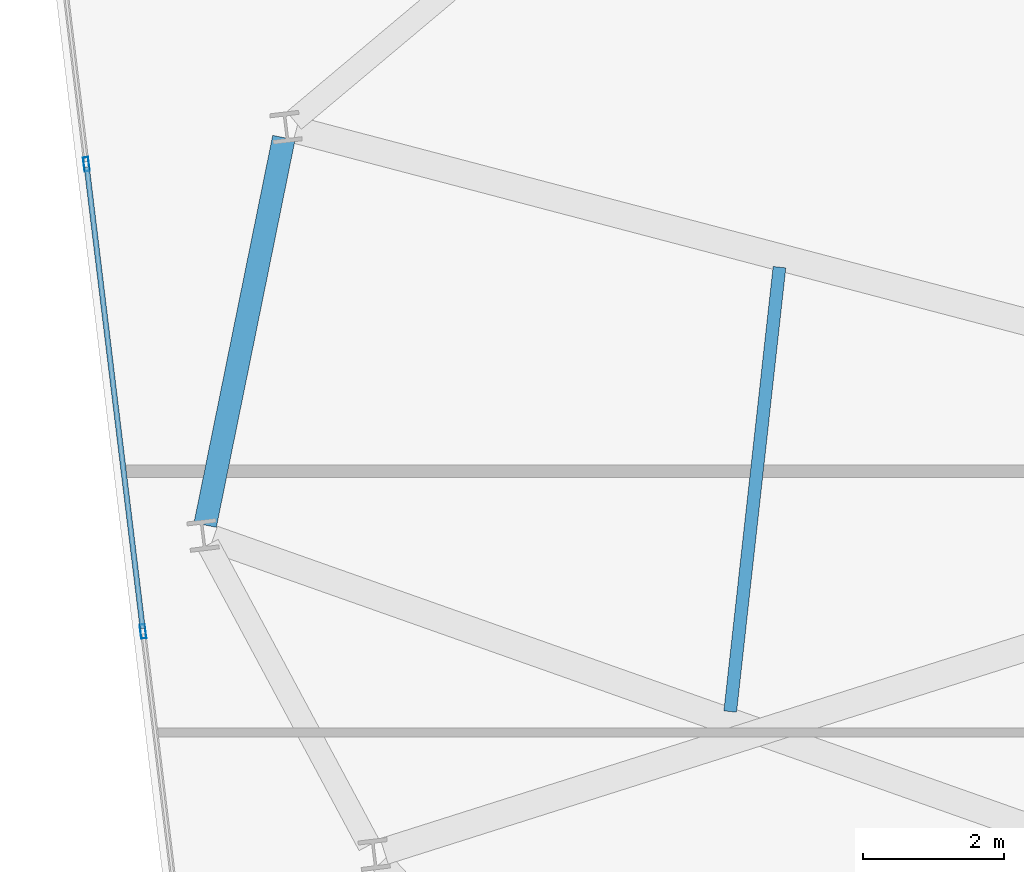
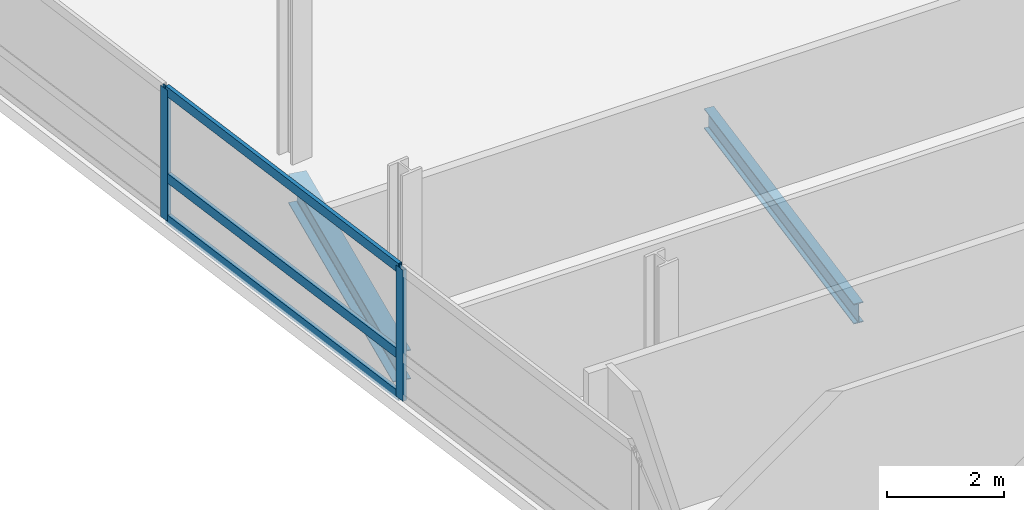
# One storey, part 6 of 22: 5 members, 2 beams, 1 element without a shape of its own.
"""IFC4 building model written with IfcOpenShell, lengths in metres."""

from ifc_helpers import new_model, si_unit, direction, frame, origin, origin_2d, place, context, subcontext, project, spatial, hollow_rectangle, i_section, extrude, material, layer, layer_set, material_profile, profile_set, type_object, element, aggregate, save


model = new_model("IFC4")

# Units and contexts
model_context = context("Model", 3, precision=1e-05, world=origin(), true_north=direction((0.0, 1.0)))
body_context = subcontext(model_context, "Body", "Model", "MODEL_VIEW")
ifc_project = project(units=[si_unit("LENGTHUNIT", "METRE"), si_unit("AREAUNIT", "SQUARE_METRE"), si_unit("VOLUMEUNIT", "CUBIC_METRE"), si_unit("PLANEANGLEUNIT", "RADIAN"), si_unit("MASSUNIT", "GRAM", prefix="KILO")], contexts=[model_context])

# Site, building, storey
site_placement = place(None, origin())
site = spatial("IfcSite", under=ifc_project, at=site_placement, CompositionType="ELEMENT")
building_placement = place(site_placement, origin())
building = spatial("IfcBuilding", under=site, at=building_placement, Name="Varnelok Gate Tower", CompositionType="ELEMENT")
storey_placement = place(building_placement, frame((0.0, 0.0, 178.300048828125)))
storey = spatial("IfcBuildingStorey", under=building, at=storey_placement, Name="L45", CompositionType="ELEMENT", Elevation=178.300048828125)

# Beams
ifc_material_1 = material(Name="Structural Steel ASTM A992 Grade 50", Category="steel")
ifc_material_profile_1 = material_profile(ifc_material_1, i_section(OverallWidth=0.180908203125, OverallDepth=0.4169921875, WebThickness=0.010986328125, FlangeThickness=0.018310546875, FilletRadius=0.013916015625, at=origin_2d()), Name="W16X57")
ifc_profile_set_1 = profile_set([ifc_material_profile_1], Name="Structural Steel ASTM A992 Grade 50")
beam_type_1 = type_object("IfcBeamType", Name="BM-JST-W16X57", PredefinedType="JOIST", material=ifc_profile_set_1)
beam_1_placement = place(storey_placement, frame((12.928955078125, 29.554443359375, -0.45849609375), z_axis=(-0.110165546405, -0.993913251942, 0.0), x_axis=(0.993913251942, -0.110165546405, 0.0)))
element("IfcBeam", 1, at=beam_1_placement, inside=storey, type_object=beam_type_1, Name="L45 Sector Floor Joist 11", PredefinedType="JOIST", context=body_context, shape_type="SweptSolid", body=[
    extrude(i_section(OverallWidth=0.180908203125, OverallDepth=0.4169921875, WebThickness=0.010986328125, FlangeThickness=0.018310546875, FilletRadius=0.013916015625, at=origin_2d()), origin(), (0.0, 0.0, 1.0), 6.346923828125),
])
ifc_material_profile_2 = material_profile(ifc_material_1, i_section(OverallWidth=0.323974609375, OverallDepth=0.611083984375, WebThickness=0.0126953125, FlangeThickness=0.01904296875, FilletRadius=0.01806640625, at=origin_2d()), Name="W24X104")
ifc_profile_set_2 = profile_set([ifc_material_profile_2], Name="Structural Steel ASTM A992 Grade 50")
beam_type_2 = type_object("IfcBeamType", Name="BM-SPN-W24X104", PredefinedType="SPANDREL", material=ifc_profile_set_2)
beam_2_placement = place(storey_placement, frame((5.893310546875, 31.393798828125, -0.5556640625), z_axis=(-0.199143476404, -0.97997034435, 0.0), x_axis=(0.97997034435, -0.199143476404, 0.0)))
element("IfcBeam", 2, at=beam_2_placement, inside=storey, type_object=beam_type_2, Name="L45 Perimeter Spandrel Beam 14", PredefinedType="SPANDREL", context=body_context, shape_type="SweptSolid", body=[
    extrude(i_section(OverallWidth=0.323974609375, OverallDepth=0.611083984375, WebThickness=0.0126953125, FlangeThickness=0.01904296875, FilletRadius=0.01806640625, at=origin_2d()), origin(), (0.0, 0.0, 1.0), 5.6123046875),
])

# Curtain wall, members
ifc_material_2 = material(Name="Anodized Aluminum Alloy 6063-T6", Category="aluminium")
ifc_layer = layer(ifc_material_2, 0.179931640625)
ifc_layer_set = layer_set([ifc_layer], Name="Anodized Aluminum Alloy 6063-T6")
curtain_wall_type = type_object("IfcCurtainWallType", Name="CW4-RESIDENCE-VISION", PredefinedType="USERDEFINED", material=ifc_layer_set)
curtain_wall_placement = place(storey_placement, origin())
curtain_wall = element("IfcCurtainWall", 3, at=curtain_wall_placement, inside=storey, type_object=curtain_wall_type, Name="L45 West End Vision Curtain Wall", ObjectType="UNITISED CURTAIN WALL", PredefinedType="USERDEFINED")
ifc_material_profile_3 = material_profile(ifc_material_2, hollow_rectangle(XDim=0.074951171875, YDim=0.199951171875, WallThickness=0.00390625, at=origin_2d()), Name="ALU200X75X4")
ifc_profile_set_3 = profile_set([ifc_material_profile_3], Name="Anodized Aluminum Alloy 6063-T6")
member_type_1 = type_object("IfcMemberType", Name="CW-MULL-200", PredefinedType="MULLION", material=ifc_profile_set_3)
member_1_placement = place(storey_placement, frame((3.8935546875, 24.384521484375, 0.0), z_axis=(0.0, 0.0, 1.0), x_axis=(-0.992732188751, -0.120344511371, 0.0)))
member_1 = element("IfcMember", 4, at=member_1_placement, type_object=member_type_1, Name="CW4 mullion 4", PredefinedType="MULLION", context=body_context, shape_type="SweptSolid", body=[
    extrude(hollow_rectangle(XDim=0.074951171875, YDim=0.199951171875, WallThickness=0.00390625, at=origin_2d()), origin(), (0.0, 0.0, 1.0), 2.72998046875),
])
member_2_placement = place(storey_placement, frame((3.089599609375, 31.015869140625, 0.0), z_axis=(0.0, 0.0, 1.0), x_axis=(-0.992732188751, -0.120344511371, 0.0)))
member_2 = element("IfcMember", 5, at=member_2_placement, type_object=member_type_1, Name="CW4 mullion 5", PredefinedType="MULLION", context=body_context, shape_type="SweptSolid", body=[
    extrude(hollow_rectangle(XDim=0.074951171875, YDim=0.199951171875, WallThickness=0.00390625, at=origin_2d()), origin(), (0.0, 0.0, 1.0), 2.72998046875),
])
ifc_material_profile_4 = material_profile(ifc_material_2, hollow_rectangle(XDim=0.074951171875, YDim=0.199951171875, WallThickness=0.00390625, at=origin_2d()), Name="ALU200X75X4")
ifc_profile_set_4 = profile_set([ifc_material_profile_4], Name="Anodized Aluminum Alloy 6063-T6")
member_type_2 = type_object("IfcMemberType", Name="CW-TRAN-200", PredefinedType="USERDEFINED", material=ifc_profile_set_4)
member_3_placement = place(storey_placement, frame((3.88916015625, 24.421630859375, 0.037353515625), z_axis=(-0.120353445289, 0.992731105691, 0.0), x_axis=(-0.992731105691, -0.120353445289, 0.0)))
member_3 = element("IfcMember", 6, at=member_3_placement, type_object=member_type_2, Name="CW4 transom 4.1", ObjectType="TRANSOM", PredefinedType="USERDEFINED", context=body_context, shape_type="SweptSolid", body=[
    extrude(hollow_rectangle(XDim=0.074951171875, YDim=0.199951171875, WallThickness=0.00390625, at=origin_2d()), origin(), (0.0, 0.0, 1.0), 6.60498046875),
])
member_4_placement = place(storey_placement, frame((3.88916015625, 24.421630859375, 0.89990234375), z_axis=(-0.120353445289, 0.992731105691, 0.0), x_axis=(-0.992731105691, -0.120353445289, 0.0)))
member_4 = element("IfcMember", 7, at=member_4_placement, type_object=member_type_2, Name="CW4 transom 4.2", ObjectType="TRANSOM", PredefinedType="USERDEFINED", context=body_context, shape_type="SweptSolid", body=[
    extrude(hollow_rectangle(XDim=0.074951171875, YDim=0.199951171875, WallThickness=0.00390625, at=origin_2d()), origin(), (0.0, 0.0, 1.0), 6.60498046875),
])
member_5_placement = place(storey_placement, frame((3.88916015625, 24.421630859375, 2.6923828125), z_axis=(-0.120353445289, 0.992731105691, 0.0), x_axis=(-0.992731105691, -0.120353445289, 0.0)))
member_5 = element("IfcMember", 8, at=member_5_placement, type_object=member_type_2, Name="CW4 transom 4.3", ObjectType="TRANSOM", PredefinedType="USERDEFINED", context=body_context, shape_type="SweptSolid", body=[
    extrude(hollow_rectangle(XDim=0.074951171875, YDim=0.199951171875, WallThickness=0.00390625, at=origin_2d()), origin(), (0.0, 0.0, 1.0), 6.60498046875),
])
aggregate(curtain_wall, [member_1, member_2, member_3, member_4, member_5])

save(model, "model.ifc")
